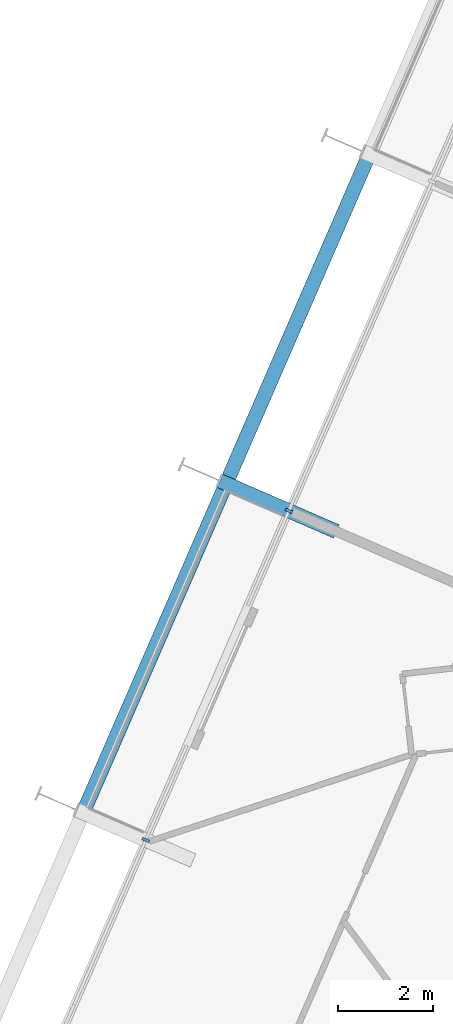
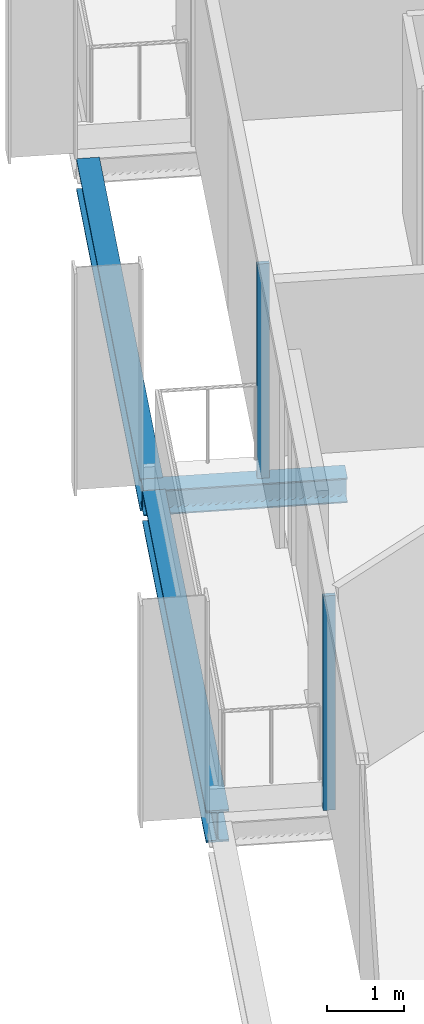
# One storey, part 5 of 23: 3 beams, 2 members, 1 element without a shape of its own.
"""IFC4 building model written with IfcOpenShell, lengths in metres."""

from ifc_helpers import new_model, si_unit, direction, frame, origin, origin_2d, place, context, subcontext, project, spatial, rectangle, i_section, extrude, material, layer, layer_set, material_profile, profile_set, type_object, element, aggregate, save


model = new_model("IFC4")

# Units and contexts
model_context = context("Model", 3, precision=1e-05, world=origin(), true_north=direction((0.0, 1.0)))
body_context = subcontext(model_context, "Body", "Model", "MODEL_VIEW")
ifc_project = project(units=[si_unit("LENGTHUNIT", "METRE"), si_unit("AREAUNIT", "SQUARE_METRE"), si_unit("VOLUMEUNIT", "CUBIC_METRE"), si_unit("PLANEANGLEUNIT", "RADIAN"), si_unit("MASSUNIT", "GRAM", prefix="KILO")], contexts=[model_context])

# Site, building, storey
site_placement = place(None, origin())
site = spatial("IfcSite", under=ifc_project, at=site_placement, CompositionType="ELEMENT")
building_placement = place(site_placement, origin())
building = spatial("IfcBuilding", under=site, at=building_placement, Name="Spindle Arch Residences", CompositionType="ELEMENT")
storey_placement = place(building_placement, frame((0.0, 0.0, 83.699951171875)))
storey = spatial("IfcBuildingStorey", under=building, at=storey_placement, Name="L19", CompositionType="ELEMENT", Elevation=83.699951171875)

# Curtain wall, members
ifc_material_1 = material(Name="Aluminium bronze unitised frame with tinted glass", Category="aluminium")
ifc_layer = layer(ifc_material_1, 0.159912109375)
ifc_layer_set = layer_set([ifc_layer], Name="CW-C typical residential unitised wall")
curtain_wall_type = type_object("IfcCurtainWallType", Name="CW-C typical residential unitised wall", PredefinedType="NOTDEFINED", material=ifc_layer_set)
curtain_wall_placement = place(storey_placement, origin())
curtain_wall = element("IfcCurtainWall", 1, at=curtain_wall_placement, inside=storey, type_object=curtain_wall_type, Name="CW-C L19 run 4", PredefinedType="NOTDEFINED")
ifc_material_2 = material(Name="Aluminium bronze anodised mullion", Category="aluminium")
ifc_material_profile_1 = material_profile(ifc_material_2, rectangle(XDim=0.159912109375, YDim=0.06005859375, at=origin_2d()), Name="MU 60x160")
ifc_profile_set_1 = profile_set([ifc_material_profile_1], Name="Aluminium bronze anodised mullion")
member_type = type_object("IfcMemberType", Name="Bronze mullion 60x160", PredefinedType="MULLION", material=ifc_profile_set_1)
member_1_placement = place(storey_placement, frame((-19.232666015625, 4.26318359375, -0.3798828125), z_axis=(0.0, 0.0, 1.0), x_axis=(0.917060074385, -0.398749068925, 0.0)))
member_1 = element("IfcMember", 2, at=member_1_placement, type_object=member_type, Name="CW-C mullion 16", PredefinedType="MULLION", context=body_context, shape_type="SweptSolid", body=[
    extrude(rectangle(XDim=0.159912109375, YDim=0.06005859375, at=origin_2d()), origin(), (0.0, 0.0, 1.0), 3.3798828125),
])
member_2_placement = place(storey_placement, frame((-22.23095703125, -2.632080078125, -0.3798828125), z_axis=(0.0, 0.0, 1.0), x_axis=(0.917060074385, -0.398749068925, 0.0)))
member_2 = element("IfcMember", 3, at=member_2_placement, type_object=member_type, Name="CW-C mullion 17", PredefinedType="MULLION", context=body_context, shape_type="SweptSolid", body=[
    extrude(rectangle(XDim=0.159912109375, YDim=0.06005859375, at=origin_2d()), origin(), (0.0, 0.0, 1.0), 3.3798828125),
])
aggregate(curtain_wall, [member_1, member_2])

# Beams
ifc_material_3 = material(Name="Steel S460ML, intumescent coating R 120", Category="steel")
ifc_material_profile_2 = material_profile(ifc_material_3, i_section(OverallWidth=0.300048828125, OverallDepth=0.5, WebThickness=0.014404296875, FlangeThickness=0.028076171875, FilletRadius=0.027099609375, at=origin_2d()), Name="HEB 500")
ifc_profile_set_2 = profile_set([ifc_material_profile_2], Name="Steel S460ML, intumescent coating R 120")
beam_type_1 = type_object("IfcBeamType", Name="Exoskeleton edge beam HEB 500", PredefinedType="BEAM", material=ifc_profile_set_2)
for number, where, z_axis, x_axis, name in (
    (4, (-17.6005859375, 11.610595703125, -0.6298828125), (-0.398760546857, -0.917055083553, 0.0), (0.917055083553, -0.398760546857, 0.0), "Exoskeleton edge beam 16"),
    (5, (-20.5986328125, 4.71533203125, -0.6298828125), (-0.398760546857, -0.917055083553, 0.0), (0.917055083553, -0.398760546857, 0.0), "Exoskeleton edge beam 17"),
):
    element("IfcBeam", number, at=place(storey_placement, frame(where, z_axis=z_axis, x_axis=x_axis)), inside=storey, type_object=beam_type_1, Name=name, PredefinedType="BEAM", context=body_context, shape_type="SweptSolid", body=[
        extrude(i_section(OverallWidth=0.300048828125, OverallDepth=0.5, WebThickness=0.014404296875, FlangeThickness=0.028076171875, FilletRadius=0.027099609375, at=origin_2d()), origin(), (0.0, 0.0, 1.0), 7.2587890625),
    ])
ifc_material_4 = material(Name="Steel S460ML, intumescent coating R 120", Category="steel")
ifc_material_profile_3 = material_profile(ifc_material_4, i_section(OverallWidth=0.300048828125, OverallDepth=0.389892578125, WebThickness=0.010986328125, FlangeThickness=0.01904296875, FilletRadius=0.027099609375, at=origin_2d()), Name="HEA 400")
ifc_profile_set_3 = profile_set([ifc_material_profile_3], Name="Steel S460ML, intumescent coating R 120")
beam_type_2 = type_object("IfcBeamType", Name="Floor outrigger HEA 400", PredefinedType="BEAM", material=ifc_profile_set_3)
beam_placement = place(storey_placement, frame((-20.672607421875, 4.889404296875, -0.574951171875), z_axis=(0.917045157424, -0.398783373831, 0.0), x_axis=(0.398783373831, 0.917045157424, 0.0)))
element("IfcBeam", 6, at=beam_placement, inside=storey, type_object=beam_type_2, Name="Floor outrigger 17", PredefinedType="BEAM", context=body_context, shape_type="SweptSolid", body=[
    extrude(i_section(OverallWidth=0.300048828125, OverallDepth=0.389892578125, WebThickness=0.010986328125, FlangeThickness=0.01904296875, FilletRadius=0.027099609375, at=origin_2d()), origin(), (0.0, 0.0, 1.0), 2.650390625),
])

save(model, "model.ifc")
